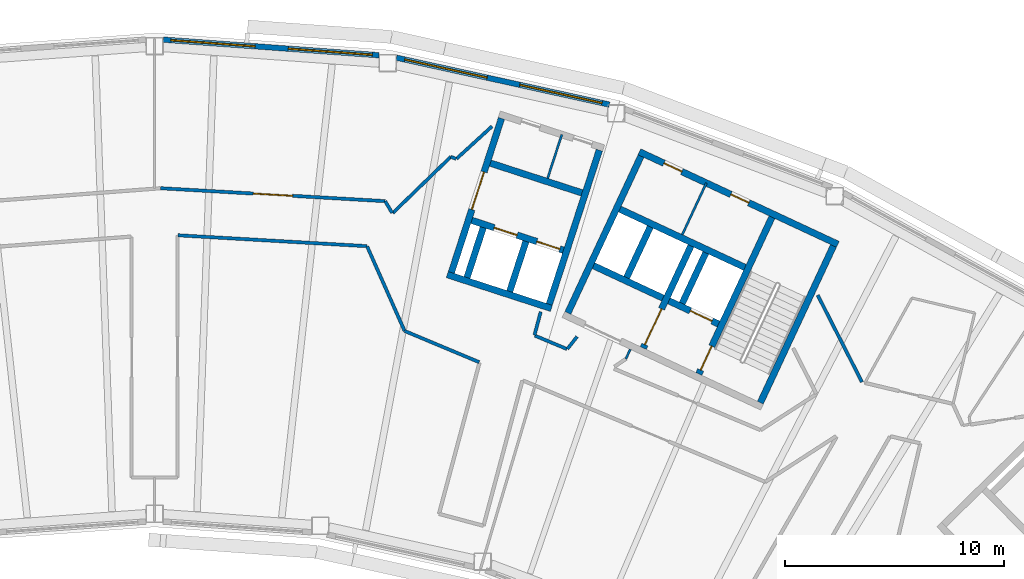
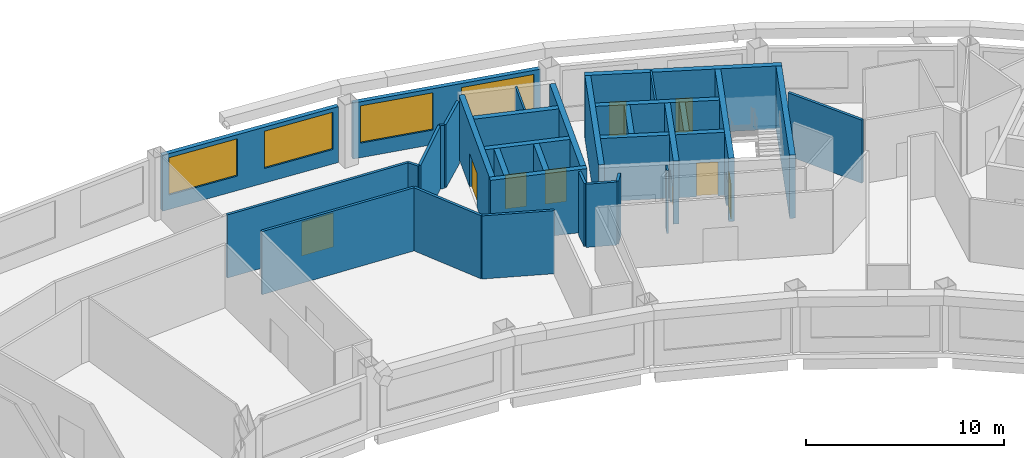
# One storey, part 9 of 16: 34 walls, 9 doors, 4 windows, 13 openings.
"""IFC4 building model written with IfcOpenShell, lengths in metres."""

from ifc_helpers import new_model, si_unit, direction, frame, frame_2d, origin, place, context, subcontext, project, spatial, rectangle, extrude, material, layer, layer_set, type_object, element, fill, save


model = new_model("IFC4")

# Units and contexts
model_context = context("Model", 3, precision=1e-05, world=origin(), true_north=direction((0.0, 1.0)))
body_context = subcontext(model_context, "Body", "Model", "MODEL_VIEW")
ifc_project = project(units=[si_unit("LENGTHUNIT", "METRE"), si_unit("AREAUNIT", "SQUARE_METRE"), si_unit("VOLUMEUNIT", "CUBIC_METRE"), si_unit("PLANEANGLEUNIT", "RADIAN"), si_unit("MASSUNIT", "GRAM", prefix="KILO")], contexts=[model_context])

# Site, building, storey
site_placement = place(None, origin())
site = spatial("IfcSite", under=ifc_project, at=site_placement, CompositionType="ELEMENT")
building_placement = place(site_placement, origin())
building = spatial("IfcBuilding", under=site, at=building_placement, Name="Tuul Gate Civic Tower", CompositionType="ELEMENT")
storey_placement = place(building_placement, frame((0.0, 0.0, 298.39990234375)))
storey = spatial("IfcBuildingStorey", under=building, at=storey_placement, Name="Level 67", CompositionType="ELEMENT", Elevation=298.39990234375)

# Wall, opening, door
ifc_material_1 = material(Name="Concrete C50/60", Category="concrete")
ifc_layer_1 = layer(ifc_material_1, 0.300048828125)
ifc_layer_set_1 = layer_set([ifc_layer_1], Name="Concrete C50/60")
wall_type_1 = type_object("IfcWallType", Name="Core wall C50/60", PredefinedType="SHEAR", material=ifc_layer_set_1)
wall_1_placement = place(storey_placement, frame((32.545654296875, -3.456787109375, 0.0), z_axis=(0.0, 0.0, 1.0), x_axis=(-0.906300357825, 0.42263419337, 0.0)))
wall_1 = element("IfcWall", 1, at=wall_1_placement, inside=storey, type_object=wall_type_1, Name="Core wall", PredefinedType="SHEAR", context=body_context, shape_type="SweptSolid", body=[
    extrude(rectangle(XDim=2.500244140625, YDim=0.300048828125, at=frame_2d((1.25, 0.0))), origin(), (0.0, 0.0, 1.0), 3.900146484375),
])
opening_1_placement = place(wall_1_placement, frame((0.324951171875, 0.0, 0.0)))
opening_1 = element("IfcOpeningElement", 2, at=opening_1_placement, cuts=wall_1, Name="Opening LD-FF-2", PredefinedType="OPENING", context=body_context, shape_type="SweptSolid", body=[
    extrude(rectangle(XDim=1.10009765625, YDim=2.10009765625, at=frame_2d((0.550048828125, 1.050048828125))), frame((0.0, 0.16015625, 0.0), z_axis=(0.0, -1.0, 0.0), x_axis=(1.0, 0.0, 0.0)), (0.0, 0.0, 1.0), 0.320068359375),
])
ifc_material_2 = material(Name="Stainless steel", Category="steel")
door_type_1 = type_object("IfcDoorType", Name="Landing door", OperationType="DOUBLE_DOOR_SLIDING", PredefinedType="DOOR", material=ifc_material_2)
door_1_placement = place(opening_1_placement, origin())
door_1 = element("IfcDoor", 3, at=door_1_placement, inside=storey, type_object=door_type_1, Name="Fire-fighting lift FF-2 landing door", OperationType="DOUBLE_DOOR_SLIDING", OverallHeight=2.10009765625, OverallWidth=1.10009765625, PredefinedType="DOOR", context=body_context, shape_type="SweptSolid", body=[
    extrude(rectangle(XDim=1.10009765625, YDim=2.10009765625, at=frame_2d((0.550048828125, 1.050048828125))), frame((0.0, 0.02490234375, 0.0), z_axis=(0.0, -1.0, 0.0), x_axis=(1.0, 0.0, 0.0)), (0.0, 0.0, 1.0), 0.050048828125),
])
fill(opening_1, door_1)

# Walls
wall_2_placement = place(storey_placement, frame((30.0078125, -2.2734375, 0.0), z_axis=(0.0, 0.0, 1.0), x_axis=(-0.90630071767, 0.422633421716, 0.0)))
element("IfcWall", 4, at=wall_2_placement, inside=storey, type_object=wall_type_1, Name="Core wall", PredefinedType="SHEAR", context=body_context, shape_type="SweptSolid", body=[
    extrude(rectangle(XDim=3.5, YDim=0.300048828125, at=frame_2d((1.75, 0.0))), origin(), (0.0, 0.0, 1.0), 3.900146484375),
])
wall_3_placement = place(storey_placement, frame((33.75, -0.873779296875, 0.0), z_axis=(0.0, 0.0, 1.0), x_axis=(-0.906300917592, 0.422632992999, 0.0)))
element("IfcWall", 5, at=wall_3_placement, inside=storey, type_object=wall_type_1, Name="Core wall", PredefinedType="SHEAR", context=body_context, shape_type="SweptSolid", body=[
    extrude(rectangle(XDim=6.300048828125, YDim=0.300048828125, at=frame_2d((3.14990234375, 0.0))), origin(), (0.0, 0.0, 1.0), 3.900146484375),
])

# Wall, openings, doors
wall_4_placement = place(storey_placement, frame((37.993408203125, 0.181884765625, 0.0), z_axis=(0.0, 0.0, 1.0), x_axis=(-0.906310338845, 0.422612789327, 0.0)))
wall_4 = element("IfcWall", 6, at=wall_4_placement, inside=storey, type_object=wall_type_1, Name="Core wall", PredefinedType="SHEAR", context=body_context, shape_type="SweptSolid", body=[
    extrude(rectangle(XDim=9.999755859375, YDim=0.300048828125, at=frame_2d((5.0, 0.0))), origin(), (0.0, 0.0, 1.0), 3.900146484375),
])
opening_2_placement = place(wall_4_placement, frame((4.487548828125, 0.0, 0.0)))
opening_2 = element("IfcOpeningElement", 7, at=opening_2_placement, cuts=wall_4, Name="Opening Y-D19", PredefinedType="OPENING", context=body_context, shape_type="SweptSolid", body=[
    extrude(rectangle(XDim=0.89990234375, YDim=2.10009765625, at=frame_2d((0.449951171875, 1.050048828125))), frame((0.0, 0.16015625, 0.0), z_axis=(0.0, -1.0, 0.0), x_axis=(1.0, 0.0, 0.0)), (0.0, 0.0, 1.0), 0.320068359375),
])
opening_3_placement = place(wall_4_placement, frame((7.862548828125, 0.0, 0.0)))
opening_3 = element("IfcOpeningElement", 8, at=opening_3_placement, cuts=wall_4, Name="Opening Y-D20", PredefinedType="OPENING", context=body_context, shape_type="SweptSolid", body=[
    extrude(rectangle(XDim=0.89990234375, YDim=2.10009765625, at=frame_2d((0.449951171875, 1.050048828125))), frame((0.0, 0.16015625, 0.0), z_axis=(0.0, -1.0, 0.0), x_axis=(1.0, 0.0, 0.0)), (0.0, 0.0, 1.0), 0.320068359375),
])
ifc_material_3 = material(Name="Timber door leaf", Category="wood")
door_type_2 = type_object("IfcDoorType", Name="Door D09", OperationType="NOTDEFINED", PredefinedType="DOOR", material=ifc_material_3)
door_2_placement = place(opening_2_placement, origin())
door_2 = element("IfcDoor", 9, at=door_2_placement, inside=storey, type_object=door_type_2, Name="Door Y-D19", OperationType="SINGLE_SWING_LEFT", OverallHeight=2.10009765625, OverallWidth=0.89990234375, PredefinedType="DOOR", context=body_context, shape_type="SweptSolid", body=[
    extrude(rectangle(XDim=0.89990234375, YDim=2.10009765625, at=frame_2d((0.449951171875, 1.050048828125))), frame((0.0, 0.02490234375, 0.0), z_axis=(0.0, -1.0, 0.0), x_axis=(1.0, 0.0, 0.0)), (0.0, 0.0, 1.0), 0.050048828125),
])
fill(opening_2, door_2)
door_3_placement = place(opening_3_placement, origin())
door_3 = element("IfcDoor", 10, at=door_3_placement, inside=storey, type_object=door_type_2, Name="Door Y-D20", OperationType="SINGLE_SWING_RIGHT", OverallHeight=2.10009765625, OverallWidth=0.89990234375, PredefinedType="DOOR", context=body_context, shape_type="SweptSolid", body=[
    extrude(rectangle(XDim=0.89990234375, YDim=2.10009765625, at=frame_2d((0.449951171875, 1.050048828125))), frame((0.0, 0.02490234375, 0.0), z_axis=(0.0, -1.0, 0.0), x_axis=(1.0, 0.0, 0.0)), (0.0, 0.0, 1.0), 0.050048828125),
])
fill(opening_3, door_3)

# Wall
wall_5_placement = place(storey_placement, frame((34.455810546875, -7.05078125, 0.0), z_axis=(0.0, 0.0, 1.0), x_axis=(0.422570768258, 0.906329932096, 0.0)))
element("IfcWall", 11, at=wall_5_placement, inside=storey, type_object=wall_type_1, Name="Core wall", PredefinedType="SHEAR", context=body_context, shape_type="SweptSolid", body=[
    extrude(rectangle(XDim=7.900146484375, YDim=0.300048828125, at=frame_2d((3.9501953125, 0.0))), origin(), (0.0, 0.0, 1.0), 3.900146484375),
])

# Wall, opening, door
wall_6_placement = place(storey_placement, frame((31.646240234375, -5.740478515625, 0.0), z_axis=(0.0, 0.0, 1.0), x_axis=(0.422582604137, 0.906324413596, 0.0)))
wall_6 = element("IfcWall", 12, at=wall_6_placement, inside=storey, type_object=wall_type_1, Name="Core wall", PredefinedType="SHEAR", context=body_context, shape_type="SweptSolid", body=[
    extrude(rectangle(XDim=7.89990234375, YDim=0.300048828125, at=frame_2d((3.949951171875, 0.0))), origin(), (0.0, 0.0, 1.0), 3.900146484375),
])
opening_4_placement = place(wall_6_placement, frame((0.199951171875, 0.0, 0.0)))
opening_4 = element("IfcOpeningElement", 13, at=opening_4_placement, cuts=wall_6, Name="Opening SD-ST-4", PredefinedType="OPENING", context=body_context, shape_type="SweptSolid", body=[
    extrude(rectangle(XDim=1.199951171875, YDim=2.10009765625, at=frame_2d((0.60009765625, 1.050048828125))), frame((0.0, 0.16015625, 0.0), z_axis=(0.0, -1.0, 0.0), x_axis=(1.0, 0.0, 0.0)), (0.0, 0.0, 1.0), 0.320068359375),
])
ifc_material_4 = material(Name="Steel", Category="steel")
door_type_3 = type_object("IfcDoorType", Name="Stair door", OperationType="NOTDEFINED", PredefinedType="DOOR", material=ifc_material_4)
door_4_placement = place(opening_4_placement, origin())
door_4 = element("IfcDoor", 14, at=door_4_placement, inside=storey, type_object=door_type_3, Name="Stair door ST-4", OperationType="SINGLE_SWING_LEFT", OverallHeight=2.10009765625, OverallWidth=1.199951171875, PredefinedType="DOOR", context=body_context, shape_type="SweptSolid", body=[
    extrude(rectangle(XDim=1.199951171875, YDim=2.10009765625, at=frame_2d((0.60009765625, 1.050048828125))), frame((0.0, 0.02490234375, 0.0), z_axis=(0.0, -1.0, 0.0), x_axis=(1.0, 0.0, 0.0)), (0.0, 0.0, 1.0), 0.050048828125),
])
fill(opening_4, door_4)

# Wall
wall_7_placement = place(storey_placement, frame((30.886962890625, -2.517822265625, 0.0), z_axis=(0.0, 0.0, 1.0), x_axis=(0.422612891016, 0.906310291427, 0.0)))
element("IfcWall", 15, at=wall_7_placement, inside=storey, type_object=wall_type_1, Name="Core wall", PredefinedType="SHEAR", context=body_context, shape_type="SweptSolid", body=[
    extrude(rectangle(XDim=2.550048828125, YDim=0.300048828125, at=frame_2d((1.27490234375, 0.0))), origin(), (0.0, 0.0, 1.0), 3.900146484375),
])

# Wall, opening, door
wall_8_placement = place(storey_placement, frame((29.108642578125, -4.557373046875, 0.0), z_axis=(0.0, 0.0, 1.0), x_axis=(0.422566235356, 0.90633204552, 0.0)))
wall_8 = element("IfcWall", 16, at=wall_8_placement, inside=storey, type_object=wall_type_1, Name="Core wall", PredefinedType="SHEAR", context=body_context, shape_type="SweptSolid", body=[
    extrude(rectangle(XDim=5.150146484375, YDim=0.300048828125, at=frame_2d((2.5751953125, 0.0))), origin(), (0.0, 0.0, 1.0), 3.900146484375),
])
opening_5_placement = place(wall_8_placement, frame((0.175048828125, 0.0, 0.0)))
opening_5 = element("IfcOpeningElement", 17, at=opening_5_placement, cuts=wall_8, Name="Opening LB-E3-FLOBBY-1", PredefinedType="OPENING", context=body_context, shape_type="SweptSolid", body=[
    extrude(rectangle(XDim=1.800048828125, YDim=2.10009765625, at=frame_2d((0.89990234375, 1.050048828125))), frame((0.0, 0.16015625, 0.0), z_axis=(0.0, -1.0, 0.0), x_axis=(1.0, 0.0, 0.0)), (0.0, 0.0, 1.0), 0.320068359375),
])
ifc_material_5 = material(Name="Steel", Category="steel")
door_type_4 = type_object("IfcDoorType", Name="Lobby door", OperationType="DOUBLE_DOOR_SINGLE_SWING", PredefinedType="DOOR", material=ifc_material_5)
door_5_placement = place(opening_5_placement, frame((1.800048828125, 0.0, 0.0), z_axis=(0.0, 0.0, 1.0), x_axis=(-1.0, 0.0, 0.0)))
door_5 = element("IfcDoor", 18, at=door_5_placement, inside=storey, type_object=door_type_4, Name="Lobby door E3-FLOBBY", OperationType="DOUBLE_DOOR_SINGLE_SWING", OverallHeight=2.10009765625, OverallWidth=1.800048828125, PredefinedType="DOOR", context=body_context, shape_type="SweptSolid", body=[
    extrude(rectangle(XDim=1.800048828125, YDim=2.10009765625, at=frame_2d((0.900146484375, 1.050048828125))), frame((0.0, 0.02490234375, 0.0), z_axis=(0.0, -1.0, 0.0), x_axis=(1.0, 0.0, 0.0)), (0.0, 0.0, 1.0), 0.050048828125),
])
fill(opening_5, door_5)

# Walls
wall_9_placement = place(storey_placement, frame((28.349365234375, -1.33447265625, 0.0), z_axis=(0.0, 0.0, 1.0), x_axis=(0.422612891016, 0.906310291427, 0.0)))
element("IfcWall", 19, at=wall_9_placement, inside=storey, type_object=wall_type_1, Name="Core wall", PredefinedType="SHEAR", context=body_context, shape_type="SweptSolid", body=[
    extrude(rectangle(XDim=2.550048828125, YDim=0.300048828125, at=frame_2d((1.27490234375, 0.0))), origin(), (0.0, 0.0, 1.0), 3.900146484375),
])
wall_10_placement = place(storey_placement, frame((25.66455078125, -2.951416015625, 0.0), z_axis=(0.0, 0.0, 1.0), x_axis=(0.422582604137, 0.906324413596, 0.0)))
element("IfcWall", 20, at=wall_10_placement, inside=storey, type_object=wall_type_1, Name="Core wall", PredefinedType="SHEAR", context=body_context, shape_type="SweptSolid", body=[
    extrude(rectangle(XDim=7.89990234375, YDim=0.300048828125, at=frame_2d((3.949951171875, 0.0))), origin(), (0.0, 0.0, 1.0), 3.900146484375),
])
ifc_material_6 = material(Name="Gypsum board partition")
ifc_layer_2 = layer(ifc_material_6, 0.14990234375)
ifc_layer_set_2 = layer_set([ifc_layer_2], Name="Gypsum board partition")
wall_type_2 = type_object("IfcWallType", Name="Corridor wall P150", PredefinedType="PARTITIONING", material=ifc_layer_set_2)
wall_11_placement = place(storey_placement, frame((37.075439453125, -2.14208984375, 0.0), z_axis=(0.0, 0.0, 1.0), x_axis=(0.453959474971, -0.891022331417, 0.0)))
element("IfcWall", 21, at=wall_11_placement, inside=storey, type_object=wall_type_2, Name="p022", PredefinedType="PARTITIONING", context=body_context, shape_type="SweptSolid", body=[
    extrude(rectangle(XDim=4.4501953125, YDim=0.14990234375, at=frame_2d((2.22509765625, 0.0))), origin(), (0.0, 0.0, 1.0), 3.900146484375),
])
wall_12_placement = place(storey_placement, frame((25.64404296875, -4.59423828125, 0.0), z_axis=(0.0, 0.0, 1.0), x_axis=(0.619199282054, 0.785233881785, 0.0)))
element("IfcWall", 22, at=wall_12_placement, inside=storey, type_object=wall_type_2, Name="p023", PredefinedType="PARTITIONING", context=body_context, shape_type="SweptSolid", body=[
    extrude(rectangle(XDim=0.711669921875, YDim=0.14990234375, at=frame_2d((0.35595703125, 0.0))), origin(), (0.0, 0.0, 1.0), 3.900146484375),
])
wall_13_placement = place(storey_placement, frame((24.15283203125, -3.986572265625, 0.0), z_axis=(0.0, 0.0, 1.0), x_axis=(0.922499435941, -0.385998433532, 0.0)))
element("IfcWall", 23, at=wall_13_placement, inside=storey, type_object=wall_type_2, Name="p024", PredefinedType="PARTITIONING", context=body_context, shape_type="SweptSolid", body=[
    extrude(rectangle(XDim=1.59130859375, YDim=0.14990234375, at=frame_2d((0.795654296875, 0.0))), origin(), (0.0, 0.0, 1.0), 3.900146484375),
])
wall_14_placement = place(storey_placement, frame((24.140625, -3.963623046875, 0.0), z_axis=(0.0, 0.0, 1.0), x_axis=(0.258050314511, 0.966131479241, 0.0)))
element("IfcWall", 24, at=wall_14_placement, inside=storey, type_object=wall_type_2, Name="p027", PredefinedType="PARTITIONING", context=body_context, shape_type="SweptSolid", body=[
    extrude(rectangle(XDim=1.097412109375, YDim=0.14990234375, at=frame_2d((0.548828125, 0.0))), origin(), (0.0, 0.0, 1.0), 3.900146484375),
])
wall_15_placement = place(storey_placement, frame((20.5771484375, 4.085205078125, 0.0), z_axis=(0.0, 0.0, 1.0), x_axis=(0.738095276919, 0.674696496352, 0.0)))
element("IfcWall", 25, at=wall_15_placement, inside=storey, type_object=wall_type_2, Name="p028", PredefinedType="PARTITIONING", context=body_context, shape_type="SweptSolid", body=[
    extrude(rectangle(XDim=2.195068359375, YDim=0.14990234375, at=frame_2d((1.09765625, 0.0))), origin(), (0.0, 0.0, 1.0), 3.900146484375),
])
wall_16_placement = place(storey_placement, frame((20.3173828125, 4.1796875, 0.0), z_axis=(0.0, 0.0, 1.0), x_axis=(0.928476690885, -0.371390676354, 0.0)))
element("IfcWall", 26, at=wall_16_placement, inside=storey, type_object=wall_type_2, Name="p029", PredefinedType="PARTITIONING", context=body_context, shape_type="SweptSolid", body=[
    extrude(rectangle(XDim=0.26025390625, YDim=0.14990234375, at=frame_2d((0.130126953125, 0.0))), origin(), (0.0, 0.0, 1.0), 3.900146484375),
])
wall_17_placement = place(storey_placement, frame((17.670166015625, 1.610595703125, 0.0), z_axis=(0.0, 0.0, 1.0), x_axis=(0.717616685687, 0.696438290463, 0.0)))
element("IfcWall", 27, at=wall_17_placement, inside=storey, type_object=wall_type_2, Name="p030", PredefinedType="PARTITIONING", context=body_context, shape_type="SweptSolid", body=[
    extrude(rectangle(XDim=3.68896484375, YDim=0.14990234375, at=frame_2d((1.844482421875, 0.0))), origin(), (0.0, 0.0, 1.0), 3.900146484375),
])
wall_18_placement = place(storey_placement, frame((17.321533203125, 2.152587890625, 0.0), z_axis=(0.0, 0.0, 1.0), x_axis=(0.507806382702, -0.861471228589, 0.0)))
element("IfcWall", 28, at=wall_18_placement, inside=storey, type_object=wall_type_2, Name="p031", PredefinedType="PARTITIONING", context=body_context, shape_type="SweptSolid", body=[
    extrude(rectangle(XDim=0.6240234375, YDim=0.14990234375, at=frame_2d((0.31201171875, 0.0))), origin(), (0.0, 0.0, 1.0), 3.900146484375),
])

# Wall, opening, door
wall_19_placement = place(storey_placement, frame((7.068115234375, 2.7431640625, 0.0), z_axis=(0.0, 0.0, 1.0), x_axis=(0.998345352169, -0.057502676482, 0.0)))
wall_19 = element("IfcWall", 29, at=wall_19_placement, inside=storey, type_object=wall_type_2, Name="p032", PredefinedType="PARTITIONING", context=body_context, shape_type="SweptSolid", body=[
    extrude(rectangle(XDim=10.2705078125, YDim=0.14990234375, at=frame_2d((5.13525390625, 0.0))), origin(), (0.0, 0.0, 1.0), 3.900146484375),
])
opening_6_placement = place(wall_19_placement, frame((4.235107421875, 0.0, 0.0)))
opening_6 = element("IfcOpeningElement", 30, at=opening_6_placement, cuts=wall_19, Name="Opening Y-D04", PredefinedType="OPENING", context=body_context, shape_type="SweptSolid", body=[
    extrude(rectangle(XDim=1.800048828125, YDim=2.10009765625, at=frame_2d((0.89990234375, 1.050048828125))), frame((0.0, 0.0849609375, 0.0), z_axis=(0.0, -1.0, 0.0), x_axis=(1.0, 0.0, 0.0)), (0.0, 0.0, 1.0), 0.169921875),
])
ifc_material_7 = material(Name="Timber door leaf, double", Category="wood")
door_type_5 = type_object("IfcDoorType", Name="Door D18", OperationType="DOUBLE_DOOR_SINGLE_SWING", PredefinedType="DOOR", material=ifc_material_7)
door_6_placement = place(opening_6_placement, origin())
door_6 = element("IfcDoor", 31, at=door_6_placement, inside=storey, type_object=door_type_5, Name="Door Y-D04", OperationType="DOUBLE_DOOR_SINGLE_SWING", OverallHeight=2.10009765625, OverallWidth=1.800048828125, PredefinedType="DOOR", context=body_context, shape_type="SweptSolid", body=[
    extrude(rectangle(XDim=1.800048828125, YDim=2.10009765625, at=frame_2d((0.89990234375, 1.050048828125))), frame((0.0, 0.02490234375, 0.0), z_axis=(0.0, -1.0, 0.0), x_axis=(1.0, 0.0, 0.0)), (0.0, 0.0, 1.0), 0.050048828125),
])
fill(opening_6, door_6)

# Walls
wall_20_placement = place(storey_placement, frame((18.20849609375, -3.77490234375, 0.0), z_axis=(0.0, 0.0, 1.0), x_axis=(0.922448104273, -0.386121088421, 0.0)))
element("IfcWall", 32, at=wall_20_placement, inside=storey, type_object=wall_type_2, Name="p053", PredefinedType="PARTITIONING", context=body_context, shape_type="SweptSolid", body=[
    extrude(rectangle(XDim=3.694580078125, YDim=0.14990234375, at=frame_2d((1.84716796875, 0.0))), origin(), (0.0, 0.0, 1.0), 3.900146484375),
])
wall_21_placement = place(storey_placement, frame((7.85986328125, 0.593994140625, 0.0), z_axis=(0.0, 0.0, 1.0), x_axis=(0.998344815666, -0.057511990344, 0.0)))
element("IfcWall", 33, at=wall_21_placement, inside=storey, type_object=wall_type_2, Name="p062", PredefinedType="PARTITIONING", context=body_context, shape_type="SweptSolid", body=[
    extrude(rectangle(XDim=8.634521484375, YDim=0.14990234375, at=frame_2d((4.3173828125, 0.0))), origin(), (0.0, 0.0, 1.0), 3.900146484375),
])
wall_22_placement = place(storey_placement, frame((16.497802734375, 0.085205078125, 0.0), z_axis=(0.0, 0.0, 1.0), x_axis=(0.405167164642, -0.914242620258, 0.0)))
element("IfcWall", 34, at=wall_22_placement, inside=storey, type_object=wall_type_2, Name="p063", PredefinedType="PARTITIONING", context=body_context, shape_type="SweptSolid", body=[
    extrude(rectangle(XDim=4.22216796875, YDim=0.14990234375, at=frame_2d((2.111083984375, 0.0))), origin(), (0.0, 0.0, 1.0), 3.900146484375),
])

# Wall, openings, windows
ifc_material_8 = material(Name="Precast concrete C40/50", Category="concrete")
ifc_layer_3 = layer(ifc_material_8, 0.25)
ifc_layer_set_3 = layer_set([ifc_layer_3], Name="Precast concrete C40/50")
wall_type_3 = type_object("IfcWallType", Name="External wall", PredefinedType="STANDARD", material=ifc_layer_set_3)
wall_23_placement = place(storey_placement, frame((27.56201171875, 6.56201171875, 0.0), z_axis=(0.0, 0.0, 1.0), x_axis=(-0.976565167079, 0.215221919071, 0.0)))
wall_23 = element("IfcWall", 35, at=wall_23_placement, inside=storey, type_object=wall_type_3, Name="External wall", PredefinedType="STANDARD", context=body_context, shape_type="SweptSolid", body=[
    extrude(rectangle(XDim=9.95751953125, YDim=0.25, at=frame_2d((4.978759765625, 0.0))), origin(), (0.0, 0.0, 1.0), 3.4501953125),
])
opening_7_placement = place(wall_23_placement, frame((0.3466796875, 0.0, 0.89990234375)))
opening_7 = element("IfcOpeningElement", 36, at=opening_7_placement, cuts=wall_23, Name="Opening W22", PredefinedType="OPENING", context=body_context, shape_type="SweptSolid", body=[
    extrude(rectangle(XDim=3.85009765625, YDim=2.300048828125, at=frame_2d((1.925048828125, 1.14990234375))), frame((0.0, 0.135009765625, 0.0), z_axis=(0.0, -1.0, 0.0), x_axis=(1.0, 0.0, 0.0)), (0.0, 0.0, 1.0), 0.27001953125),
])
opening_8_placement = place(wall_23_placement, frame((5.717529296875, 0.0, 0.89990234375)))
opening_8 = element("IfcOpeningElement", 37, at=opening_8_placement, cuts=wall_23, Name="Opening W22", PredefinedType="OPENING", context=body_context, shape_type="SweptSolid", body=[
    extrude(rectangle(XDim=3.85009765625, YDim=2.300048828125, at=frame_2d((1.925048828125, 1.14990234375))), frame((0.0, 0.135009765625, 0.0), z_axis=(0.0, -1.0, 0.0), x_axis=(1.0, 0.0, 0.0)), (0.0, 0.0, 1.0), 0.27001953125),
])
ifc_material_9 = material(Name="Glass", Category="glass")
window_type = type_object("IfcWindowType", Name="Window W22 3850 x 2300", PartitioningType="SINGLE_PANEL", PredefinedType="WINDOW", material=ifc_material_9)
window_1_placement = place(opening_7_placement, origin())
window_1 = element("IfcWindow", 38, at=window_1_placement, inside=storey, type_object=window_type, Name="Window", OverallHeight=2.300048828125, OverallWidth=3.85009765625, PartitioningType="SINGLE_PANEL", PredefinedType="WINDOW", context=body_context, shape_type="SweptSolid", body=[
    extrude(rectangle(XDim=3.85009765625, YDim=2.300048828125, at=frame_2d((1.925048828125, 1.14990234375))), frame((0.0, 0.030029296875, 0.0), z_axis=(0.0, -1.0, 0.0), x_axis=(1.0, 0.0, 0.0)), (0.0, 0.0, 1.0), 0.06005859375),
])
fill(opening_7, window_1)
window_2_placement = place(opening_8_placement, origin())
window_2 = element("IfcWindow", 39, at=window_2_placement, inside=storey, type_object=window_type, Name="Window", OverallHeight=2.300048828125, OverallWidth=3.85009765625, PartitioningType="SINGLE_PANEL", PredefinedType="WINDOW", context=body_context, shape_type="SweptSolid", body=[
    extrude(rectangle(XDim=3.85009765625, YDim=2.300048828125, at=frame_2d((1.925048828125, 1.14990234375))), frame((0.0, 0.030029296875, 0.0), z_axis=(0.0, -1.0, 0.0), x_axis=(1.0, 0.0, 0.0)), (0.0, 0.0, 1.0), 0.06005859375),
])
fill(opening_8, window_2)

wall_24_placement = place(storey_placement, frame((17.0380859375, 8.8154296875, 0.0), z_axis=(0.0, 0.0, 1.0), x_axis=(-0.997387687721, 0.072234343517, 0.0)))
wall_24 = element("IfcWall", 40, at=wall_24_placement, inside=storey, type_object=wall_type_3, Name="External wall", PredefinedType="STANDARD", context=body_context, shape_type="SweptSolid", body=[
    extrude(rectangle(XDim=9.8759765625, YDim=0.25, at=frame_2d((4.93798828125, 0.0))), origin(), (0.0, 0.0, 1.0), 3.4501953125),
])
opening_9_placement = place(wall_24_placement, frame((0.3037109375, 0.0, 0.89990234375)))
opening_9 = element("IfcOpeningElement", 41, at=opening_9_placement, cuts=wall_24, Name="Opening W22", PredefinedType="OPENING", context=body_context, shape_type="SweptSolid", body=[
    extrude(rectangle(XDim=3.85009765625, YDim=2.300048828125, at=frame_2d((1.925048828125, 1.14990234375))), frame((0.0, 0.135009765625, 0.0), z_axis=(0.0, -1.0, 0.0), x_axis=(1.0, 0.0, 0.0)), (0.0, 0.0, 1.0), 0.27001953125),
])
opening_10_placement = place(wall_24_placement, frame((5.675048828125, 0.0, 0.89990234375)))
opening_10 = element("IfcOpeningElement", 42, at=opening_10_placement, cuts=wall_24, Name="Opening W22", PredefinedType="OPENING", context=body_context, shape_type="SweptSolid", body=[
    extrude(rectangle(XDim=3.85009765625, YDim=2.300048828125, at=frame_2d((1.925048828125, 1.14990234375))), frame((0.0, 0.135009765625, 0.0), z_axis=(0.0, -1.0, 0.0), x_axis=(1.0, 0.0, 0.0)), (0.0, 0.0, 1.0), 0.27001953125),
])
window_3_placement = place(opening_9_placement, origin())
window_3 = element("IfcWindow", 43, at=window_3_placement, inside=storey, type_object=window_type, Name="Window", OverallHeight=2.300048828125, OverallWidth=3.85009765625, PartitioningType="SINGLE_PANEL", PredefinedType="WINDOW", context=body_context, shape_type="SweptSolid", body=[
    extrude(rectangle(XDim=3.85009765625, YDim=2.300048828125, at=frame_2d((1.925048828125, 1.14990234375))), frame((0.0, 0.030029296875, 0.0), z_axis=(0.0, -1.0, 0.0), x_axis=(1.0, 0.0, 0.0)), (0.0, 0.0, 1.0), 0.06005859375),
])
fill(opening_9, window_3)
window_4_placement = place(opening_10_placement, origin())
window_4 = element("IfcWindow", 44, at=window_4_placement, inside=storey, type_object=window_type, Name="Window", OverallHeight=2.300048828125, OverallWidth=3.85009765625, PartitioningType="SINGLE_PANEL", PredefinedType="WINDOW", context=body_context, shape_type="SweptSolid", body=[
    extrude(rectangle(XDim=3.85009765625, YDim=2.300048828125, at=frame_2d((1.925048828125, 1.14990234375))), frame((0.0, 0.030029296875, 0.0), z_axis=(0.0, -1.0, 0.0), x_axis=(1.0, 0.0, 0.0)), (0.0, 0.0, 1.0), 0.06005859375),
])
fill(opening_10, window_4)

# Wall
ifc_material_10 = material(Name="Concrete C40/50", Category="concrete")
ifc_layer_4 = layer(ifc_material_10, 0.300048828125)
ifc_layer_set_4 = layer_set([ifc_layer_4], Name="Concrete C40/50")
wall_type_4 = type_object("IfcWallType", Name="Lift shaft wall C40/50", PredefinedType="STANDARD", material=ifc_layer_set_4)
wall_25_placement = place(storey_placement, frame((24.911376953125, -2.746337890625, 0.0), z_axis=(0.0, 0.0, 1.0), x_axis=(-0.951067792613, 0.308982287281, 0.0)))
element("IfcWall", 45, at=wall_25_placement, inside=storey, type_object=wall_type_4, Name="Shaft wall", PredefinedType="STANDARD", context=body_context, shape_type="SweptSolid", body=[
    extrude(rectangle(XDim=5.0, YDim=0.300048828125, at=frame_2d((2.5, 0.0))), origin(), (0.0, 0.0, 1.0), 3.900146484375),
])

# Wall, openings, doors
wall_26_placement = place(storey_placement, frame((25.460693359375, -0.0859375, 0.0), z_axis=(0.0, 0.0, 1.0), x_axis=(-0.951063829732, 0.308994485023, 0.0)))
wall_26 = element("IfcWall", 46, at=wall_26_placement, inside=storey, type_object=wall_type_4, Name="Shaft wall", PredefinedType="STANDARD", context=body_context, shape_type="SweptSolid", body=[
    extrude(rectangle(XDim=4.400146484375, YDim=0.300048828125, at=frame_2d((2.2001953125, 0.0))), origin(), (0.0, 0.0, 1.0), 3.900146484375),
])
opening_11_placement = place(wall_26_placement, frame((0.175048828125, 0.0, 0.0)))
opening_11 = element("IfcOpeningElement", 47, at=opening_11_placement, cuts=wall_26, Name="Opening LD-H2", PredefinedType="OPENING", context=body_context, shape_type="SweptSolid", body=[
    extrude(rectangle(XDim=1.10009765625, YDim=2.10009765625, at=frame_2d((0.550048828125, 1.050048828125))), frame((0.0, 0.16015625, 0.0), z_axis=(0.0, -1.0, 0.0), x_axis=(1.0, 0.0, 0.0)), (0.0, 0.0, 1.0), 0.320068359375),
])
opening_12_placement = place(wall_26_placement, frame((2.22509765625, 0.0, 0.0)))
opening_12 = element("IfcOpeningElement", 48, at=opening_12_placement, cuts=wall_26, Name="Opening LD-H3", PredefinedType="OPENING", context=body_context, shape_type="SweptSolid", body=[
    extrude(rectangle(XDim=1.10009765625, YDim=2.10009765625, at=frame_2d((0.550048828125, 1.050048828125))), frame((0.0, 0.16015625, 0.0), z_axis=(0.0, -1.0, 0.0), x_axis=(1.0, 0.0, 0.0)), (0.0, 0.0, 1.0), 0.320068359375),
])
door_7_placement = place(opening_11_placement, origin())
door_7 = element("IfcDoor", 49, at=door_7_placement, inside=storey, type_object=door_type_1, Name="High-rise lift H2 landing door", OperationType="DOUBLE_DOOR_SLIDING", OverallHeight=2.10009765625, OverallWidth=1.10009765625, PredefinedType="DOOR", context=body_context, shape_type="SweptSolid", body=[
    extrude(rectangle(XDim=1.10009765625, YDim=2.10009765625, at=frame_2d((0.550048828125, 1.050048828125))), frame((0.0, 0.02490234375, 0.0), z_axis=(0.0, -1.0, 0.0), x_axis=(1.0, 0.0, 0.0)), (0.0, 0.0, 1.0), 0.050048828125),
])
fill(opening_11, door_7)
door_8_placement = place(opening_12_placement, origin())
door_8 = element("IfcDoor", 50, at=door_8_placement, inside=storey, type_object=door_type_1, Name="High-rise lift H3 landing door", OperationType="DOUBLE_DOOR_SLIDING", OverallHeight=2.10009765625, OverallWidth=1.10009765625, PredefinedType="DOOR", context=body_context, shape_type="SweptSolid", body=[
    extrude(rectangle(XDim=1.10009765625, YDim=2.10009765625, at=frame_2d((0.550048828125, 1.050048828125))), frame((0.0, 0.02490234375, 0.0), z_axis=(0.0, -1.0, 0.0), x_axis=(1.0, 0.0, 0.0)), (0.0, 0.0, 1.0), 0.050048828125),
])
fill(opening_12, door_8)

# Walls
wall_27_placement = place(storey_placement, frame((26.310546875, 2.529541015625, 0.0), z_axis=(0.0, 0.0, 1.0), x_axis=(-0.951058531764, 0.30901079133, 0.0)))
element("IfcWall", 51, at=wall_27_placement, inside=storey, type_object=wall_type_4, Name="Shaft wall", PredefinedType="STANDARD", context=body_context, shape_type="SweptSolid", body=[
    extrude(rectangle(XDim=4.39990234375, YDim=0.300048828125, at=frame_2d((2.199951171875, 0.0))), origin(), (0.0, 0.0, 1.0), 3.900146484375),
])
wall_28_placement = place(storey_placement, frame((24.815185546875, -2.557373046875, 0.0), z_axis=(0.0, 0.0, 1.0), x_axis=(0.30907264409, 0.951038432807, 0.0)))
element("IfcWall", 52, at=wall_28_placement, inside=storey, type_object=wall_type_4, Name="Shaft wall", PredefinedType="STANDARD", context=body_context, shape_type="SweptSolid", body=[
    extrude(rectangle(XDim=7.39990234375, YDim=0.300048828125, at=frame_2d((3.699951171875, 0.0))), origin(), (0.0, 0.0, 1.0), 3.900146484375),
])
for number, where, z_axis, x_axis, name in (
    (53, (23.008056640625, -1.97021484375, 0.0), (0.0, 0.0, 1.0), (0.309138975195, 0.951016873675, 0.0), "Shaft wall"),
    (54, (21.058349609375, -1.336669921875, 0.0), (0.0, 0.0, 1.0), (0.309138975195, 0.951016873675, 0.0), "Shaft wall"),
):
    element("IfcWall", number, at=place(storey_placement, frame(where, z_axis=z_axis, x_axis=x_axis)), inside=storey, type_object=wall_type_4, Name=name, PredefinedType="STANDARD", context=body_context, shape_type="SweptSolid", body=[
        extrude(rectangle(XDim=2.400146484375, YDim=0.300048828125, at=frame_2d((1.2001953125, 0.0))), origin(), (0.0, 0.0, 1.0), 3.900146484375),
    ])

# Wall, opening, door
wall_29_placement = place(storey_placement, frame((20.34521484375, -1.10498046875, 0.0), z_axis=(0.0, 0.0, 1.0), x_axis=(0.30907264409, 0.951038432807, 0.0)))
wall_29 = element("IfcWall", 55, at=wall_29_placement, inside=storey, type_object=wall_type_4, Name="Shaft wall", PredefinedType="STANDARD", context=body_context, shape_type="SweptSolid", body=[
    extrude(rectangle(XDim=7.39990234375, YDim=0.300048828125, at=frame_2d((3.699951171875, 0.0))), origin(), (0.0, 0.0, 1.0), 3.900146484375),
])
opening_13_placement = place(wall_29_placement, frame((3.02490234375, 0.0, 0.0)))
opening_13 = element("IfcOpeningElement", 56, at=opening_13_placement, cuts=wall_29, Name="Opening LB-E4-LOBBY-1", PredefinedType="OPENING", context=body_context, shape_type="SweptSolid", body=[
    extrude(rectangle(XDim=1.800048828125, YDim=2.10009765625, at=frame_2d((0.89990234375, 1.050048828125))), frame((0.0, 0.16015625, 0.0), z_axis=(0.0, -1.0, 0.0), x_axis=(1.0, 0.0, 0.0)), (0.0, 0.0, 1.0), 0.320068359375),
])
door_9_placement = place(opening_13_placement, frame((1.800048828125, 0.0, 0.0), z_axis=(0.0, 0.0, 1.0), x_axis=(-1.0, 0.0, 0.0)))
door_9 = element("IfcDoor", 57, at=door_9_placement, inside=storey, type_object=door_type_4, Name="Lobby door E4-LOBBY", OperationType="DOUBLE_DOOR_SINGLE_SWING", OverallHeight=2.10009765625, OverallWidth=1.800048828125, PredefinedType="DOOR", context=body_context, shape_type="SweptSolid", body=[
    extrude(rectangle(XDim=1.800048828125, YDim=2.10009765625, at=frame_2d((0.900146484375, 1.050048828125))), frame((0.0, 0.02490234375, 0.0), z_axis=(0.0, -1.0, 0.0), x_axis=(1.0, 0.0, 0.0)), (0.0, 0.0, 1.0), 0.050048828125),
])
fill(opening_13, door_9)

# Walls
ifc_material_11 = material(Name="Gypsum board partition")
ifc_layer_5 = layer(ifc_material_11, 0.10009765625)
ifc_layer_set_5 = layer_set([ifc_layer_5], Name="Gypsum board partition")
wall_type_5 = type_object("IfcWallType", Name="Partition P100", PredefinedType="PARTITIONING", material=ifc_layer_set_5)
wall_30_placement = place(storey_placement, frame((28.31201171875, -5.05078125, 0.0), z_axis=(0.0, 0.0, 1.0), x_axis=(0.422415726181, 0.906402203371, 0.0)))
element("IfcWall", 58, at=wall_30_placement, inside=storey, type_object=wall_type_5, Name="p102", PredefinedType="PARTITIONING", context=body_context, shape_type="SweptSolid", body=[
    extrude(rectangle(XDim=0.483642578125, YDim=0.10009765625, at=frame_2d((0.24169921875, 0.0))), origin(), (0.0, 0.0, 1.0), 3.900146484375),
])
wall_31_placement = place(storey_placement, frame((30.890380859375, 0.625, 0.0), z_axis=(0.0, 0.0, 1.0), x_axis=(0.422597606916, 0.906317418253, 0.0)))
element("IfcWall", 59, at=wall_31_placement, inside=storey, type_object=wall_type_5, Name="bE3-BAND-0", PredefinedType="PARTITIONING", context=body_context, shape_type="SweptSolid", body=[
    extrude(rectangle(XDim=2.600341796875, YDim=0.10009765625, at=frame_2d((1.30029296875, 0.0))), origin(), (0.0, 0.0, 1.0), 3.900146484375),
])
wall_32_placement = place(storey_placement, frame((24.740234375, 3.197509765625, 0.0), z_axis=(0.0, 0.0, 1.0), x_axis=(0.309138649025, 0.951016979701, 0.0)))
element("IfcWall", 60, at=wall_32_placement, inside=storey, type_object=wall_type_5, Name="bE4-BAND-0", PredefinedType="PARTITIONING", context=body_context, shape_type="SweptSolid", body=[
    extrude(rectangle(XDim=2.099853515625, YDim=0.10009765625, at=frame_2d((1.0498046875, 0.0))), origin(), (0.0, 0.0, 1.0), 3.900146484375),
])

save(model, "model.ifc")
